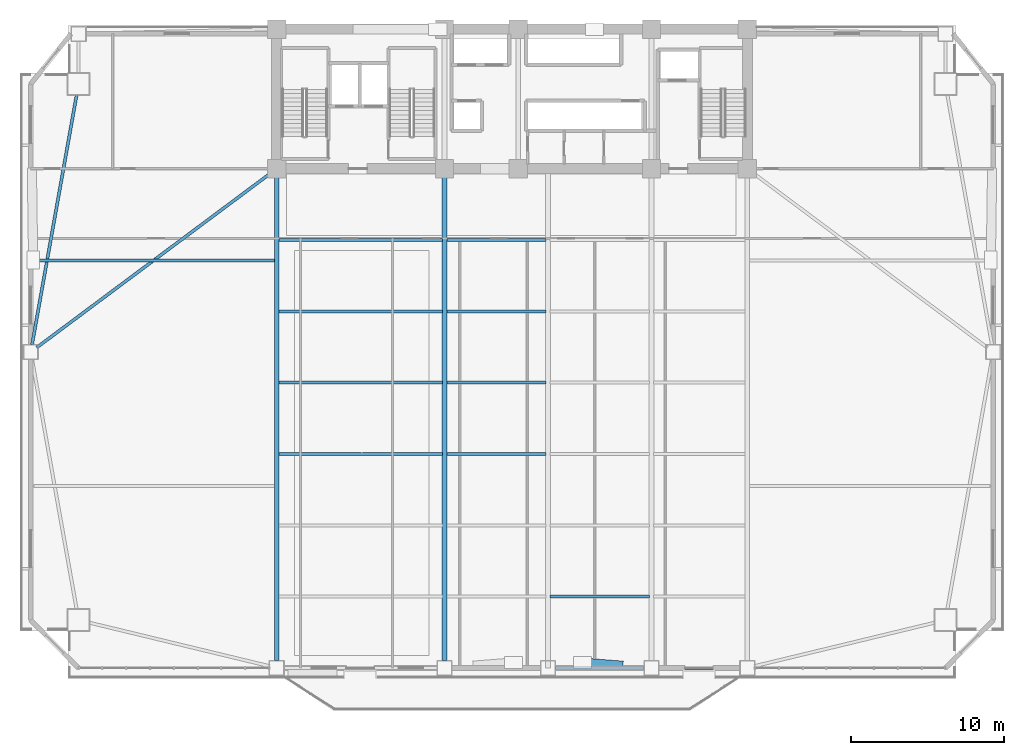
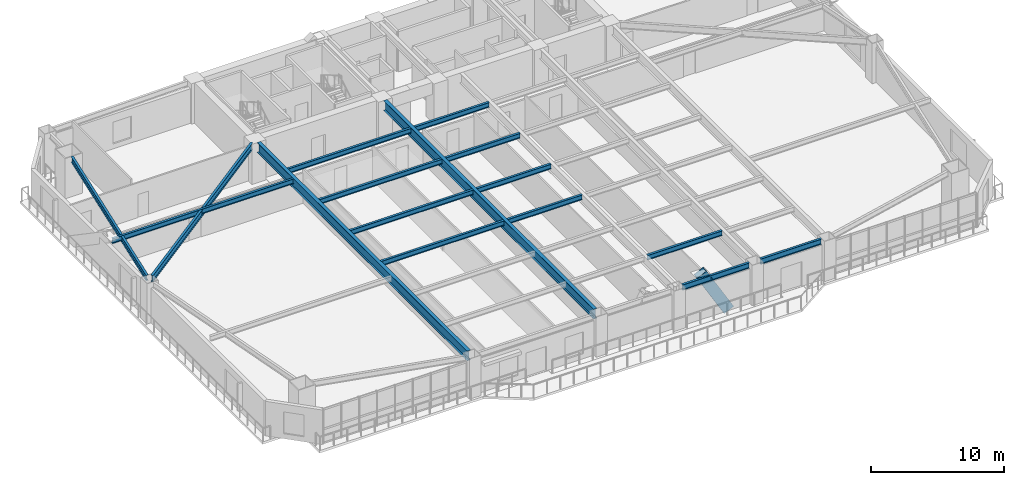
# One storey, part 5 of 18: 16 beams, 1 member.
"""IFC4 building model written with IfcOpenShell, lengths in metres."""

from ifc_helpers import new_model, si_unit, direction, frame, origin, origin_2d, place, context, subcontext, project, spatial, hollow_rectangle, i_section, extrude, source, transform, mapped, material, material_profile, profile_set, type_object, element, save


model = new_model("IFC4")

# Units and contexts
model_context = context("Model", 3, precision=1e-05, world=origin(), true_north=direction((0.0, 1.0)))
body_context = subcontext(model_context, "Body", "Model", "MODEL_VIEW")
ifc_project = project(units=[si_unit("LENGTHUNIT", "METRE"), si_unit("AREAUNIT", "SQUARE_METRE"), si_unit("VOLUMEUNIT", "CUBIC_METRE"), si_unit("PLANEANGLEUNIT", "RADIAN"), si_unit("MASSUNIT", "GRAM", prefix="KILO")], contexts=[model_context])

# Site, building, storey
site_placement = place(None, origin())
site = spatial("IfcSite", under=ifc_project, at=site_placement, CompositionType="ELEMENT")
building_placement = place(site_placement, origin())
building = spatial("IfcBuilding", under=site, at=building_placement, Name="Giltprow Tower", CompositionType="ELEMENT")
storey_placement = place(building_placement, frame((0.0, 0.0, 65.0)))
storey = spatial("IfcBuildingStorey", under=building, at=storey_placement, Name="L16", CompositionType="ELEMENT", Elevation=65.0)

# Beams
ifc_material_1 = material(Name="Structural steel Q355B", Category="steel")
ifc_material_profile_1 = material_profile(ifc_material_1, i_section(OverallWidth=0.199951171875, OverallDepth=0.449951171875, WebThickness=0.009033203125, FlangeThickness=0.013916015625, at=origin_2d()), Name="HN 450x200x9x14")
ifc_profile_set_1 = profile_set([ifc_material_profile_1], Name="Structural steel Q355B")
beam_type_1 = type_object("IfcBeamType", Name="BM-JOIST-HN450", PredefinedType="JOIST", material=ifc_profile_set_1)
shared_shape_1 = source(origin(), body_context, "Body", "SweptSolid", [
    extrude(i_section(OverallWidth=0.199951171875, OverallDepth=0.449951171875, WebThickness=0.009033203125, FlangeThickness=0.013916015625, at=origin_2d()), origin(), (0.0, 0.0, 1.0), 10.659912109375),
])
for number, where, z_axis, x_axis, name in (
    (1, (19.9951171875, 18.840087890625, 3.455078125), (1.0, 0.0, 0.0), (0.0, 1.0, 0.0), "L16 Composite Floor Joist 3-1"),
    (2, (19.9951171875, 23.491943359375, 3.455078125), (1.0, 0.0, 0.0), (0.0, 1.0, 0.0), "L16 Composite Floor Joist 4-1"),
    (3, (19.9951171875, 28.14501953125, 3.455078125), (1.0, 0.0, 0.0), (0.0, 1.0, 0.0), "L16 Composite Floor Joist 5-1"),
    (4, (19.9951171875, 32.797119140625, 3.455078125), (1.0, 0.0, 0.0), (0.0, 1.0, 0.0), "L16 Composite Floor Joist 6-1"),
):
    element("IfcBeam", number, at=place(storey_placement, frame(where, z_axis=z_axis, x_axis=x_axis)), inside=storey, type_object=beam_type_1, Name=name, PredefinedType="JOIST", context=body_context, shape_type="MappedRepresentation", body=[
        mapped(shared_shape_1, transform((0.0, 0.0, 0.0), x_axis=(1.0, 0.0, 0.0), y_axis=(0.0, 1.0, 0.0), z_axis=(0.0, 0.0, 1.0), scale=1.0)),
    ])
shared_shape_2 = source(origin(), body_context, "Body", "SweptSolid", [
    extrude(i_section(OverallWidth=0.199951171875, OverallDepth=0.449951171875, WebThickness=0.009033203125, FlangeThickness=0.013916015625, at=origin_2d()), origin(), (0.0, 0.0, 1.0), 6.4599609375),
])
for number, where, z_axis, x_axis, name in (
    (5, (37.695068359375, 9.534912109375, 3.455078125), (1.0, 0.0, 0.0), (0.0, 1.0, 0.0), "L16 Composite Floor Joist 1-3"),
    (6, (30.945068359375, 18.840087890625, 3.455078125), (1.0, 0.0, 0.0), (0.0, 1.0, 0.0), "L16 Composite Floor Joist 3-2"),
    (7, (30.945068359375, 23.491943359375, 3.455078125), (1.0, 0.0, 0.0), (0.0, 1.0, 0.0), "L16 Composite Floor Joist 4-2"),
    (8, (30.945068359375, 28.14501953125, 3.455078125), (1.0, 0.0, 0.0), (0.0, 1.0, 0.0), "L16 Composite Floor Joist 5-2"),
    (9, (30.945068359375, 32.797119140625, 3.455078125), (1.0, 0.0, 0.0), (0.0, 1.0, 0.0), "L16 Composite Floor Joist 6-2"),
):
    element("IfcBeam", number, at=place(storey_placement, frame(where, z_axis=z_axis, x_axis=x_axis)), inside=storey, type_object=beam_type_1, Name=name, PredefinedType="JOIST", context=body_context, shape_type="MappedRepresentation", body=[
        mapped(shared_shape_2, transform((0.0, 0.0, 0.0), x_axis=(1.0, 0.0, 0.0), y_axis=(0.0, 1.0, 0.0), z_axis=(0.0, 0.0, 1.0), scale=1.0)),
    ])
shared_shape_3 = source(origin(), body_context, "Body", "SweptSolid", [
    extrude(i_section(OverallWidth=0.199951171875, OverallDepth=0.449951171875, WebThickness=0.009033203125, FlangeThickness=0.013916015625, at=origin_2d()), origin(), (0.0, 0.0, 1.0), 15.68017578125),
])
beam_1_placement = place(storey_placement, frame((4.02490234375, 31.470947265625, 3.455078125), z_axis=(1.0, 0.0, 0.0), x_axis=(0.0, 1.0, 0.0)))
element("IfcBeam", 10, at=beam_1_placement, inside=storey, type_object=beam_type_1, Name="L16 West Wing Floor Joist 2", PredefinedType="JOIST", context=body_context, shape_type="MappedRepresentation", body=[
    mapped(shared_shape_3, transform((0.0, 0.0, 0.0), x_axis=(1.0, 0.0, 0.0), y_axis=(0.0, 1.0, 0.0), z_axis=(0.0, 0.0, 1.0), scale=1.0)),
])
ifc_material_profile_2 = material_profile(ifc_material_1, i_section(OverallWidth=0.199951171875, OverallDepth=0.5, WebThickness=0.010009765625, FlangeThickness=0.01611328125, at=origin_2d()), Name="HN 500x200x10x16")
ifc_profile_set_2 = profile_set([ifc_material_profile_2], Name="Structural steel Q355B")
beam_type_2 = type_object("IfcBeamType", Name="BM-SPAN-HN500", PredefinedType="SPANDREL", material=ifc_profile_set_2)
shared_shape_4 = source(origin(), body_context, "Body", "SweptSolid", [
    extrude(i_section(OverallWidth=0.199951171875, OverallDepth=0.5, WebThickness=0.010009765625, FlangeThickness=0.01611328125, at=origin_2d()), origin(), (0.0, 0.0, 1.0), 5.780029296875),
])
beam_2_placement = place(storey_placement, frame((38.034912109375, 4.882080078125, 3.429931640625), z_axis=(1.0, 0.0, 0.0), x_axis=(0.0, 1.0, 0.0)))
element("IfcBeam", 11, at=beam_2_placement, inside=storey, type_object=beam_type_2, Name="L16 Perimeter Spandrel Beam S_MID-S3", PredefinedType="SPANDREL", context=body_context, shape_type="MappedRepresentation", body=[
    mapped(shared_shape_4, transform((0.0, 0.0, 0.0), x_axis=(1.0, 0.0, 0.0), y_axis=(0.0, 1.0, 0.0), z_axis=(0.0, 0.0, 1.0), scale=1.0)),
])
shared_shape_5 = source(origin(), body_context, "Body", "SweptSolid", [
    extrude(i_section(OverallWidth=0.199951171875, OverallDepth=0.5, WebThickness=0.010009765625, FlangeThickness=0.01611328125, at=origin_2d()), origin(), (0.0, 0.0, 1.0), 5.280029296875),
])
beam_3_placement = place(storey_placement, frame((44.784912109375, 4.882080078125, 3.429931640625), z_axis=(1.0, 0.0, 0.0), x_axis=(0.0, 1.0, 0.0)))
element("IfcBeam", 12, at=beam_3_placement, inside=storey, type_object=beam_type_2, Name="L16 Perimeter Spandrel Beam S3-S4", PredefinedType="SPANDREL", context=body_context, shape_type="MappedRepresentation", body=[
    mapped(shared_shape_5, transform((0.0, 0.0, 0.0), x_axis=(1.0, 0.0, 0.0), y_axis=(0.0, 1.0, 0.0), z_axis=(0.0, 0.0, 1.0), scale=1.0)),
])
shared_shape_6 = source(origin(), body_context, "Body", "SweptSolid", [
    extrude(i_section(OverallWidth=0.199951171875, OverallDepth=0.5, WebThickness=0.010009765625, FlangeThickness=0.01611328125, at=origin_2d()), origin(), (0.0, 0.0, 1.0), 16.54345703125),
])
beam_4_placement = place(storey_placement, frame((6.798095703125, 42.25390625, 3.429931640625), z_axis=(-0.175791149249, -0.9844274843, 0.0), x_axis=(0.9844274843, -0.175791149249, 0.0)))
element("IfcBeam", 13, at=beam_4_placement, inside=storey, type_object=beam_type_2, Name="L16 Perimeter Spandrel Beam MC_NW-W_MID", PredefinedType="SPANDREL", context=body_context, shape_type="MappedRepresentation", body=[
    mapped(shared_shape_6, transform((0.0, 0.0, 0.0), x_axis=(1.0, 0.0, 0.0), y_axis=(0.0, 1.0, 0.0), z_axis=(0.0, 0.0, 1.0), scale=1.0)),
])
ifc_material_profile_3 = material_profile(ifc_material_1, i_section(OverallWidth=0.300048828125, OverallDepth=0.89990234375, WebThickness=0.01611328125, FlangeThickness=0.028076171875, at=origin_2d()), Name="HN 900x300x16x28")
ifc_profile_set_3 = profile_set([ifc_material_profile_3], Name="Structural steel Q355B")
beam_type_3 = type_object("IfcBeamType", Name="BM-GIRD-HN900", PredefinedType="BEAM", material=ifc_profile_set_3)
shared_shape_7 = source(origin(), body_context, "Body", "SweptSolid", [
    extrude(i_section(OverallWidth=0.300048828125, OverallDepth=0.89990234375, WebThickness=0.01611328125, FlangeThickness=0.028076171875, at=origin_2d()), origin(), (0.0, 0.0, 1.0), 31.498046875),
])
for number, where, z_axis, x_axis, name in (
    (14, (19.85009765625, 5.366943359375, 3.22998046875), (0.0, 1.0, 0.0), (-1.0, 0.0, 0.0), "L16 Primary Lease Girder S1"),
    (15, (30.800048828125, 5.366943359375, 3.22998046875), (0.0, 1.0, 0.0), (-1.0, 0.0, 0.0), "L16 Primary Lease Girder S2"),
):
    element("IfcBeam", number, at=place(storey_placement, frame(where, z_axis=z_axis, x_axis=x_axis)), inside=storey, type_object=beam_type_3, Name=name, PredefinedType="BEAM", context=body_context, shape_type="MappedRepresentation", body=[
        mapped(shared_shape_7, transform((0.0, 0.0, 0.0), x_axis=(1.0, 0.0, 0.0), y_axis=(0.0, 1.0, 0.0), z_axis=(0.0, 0.0, 1.0), scale=1.0)),
    ])
ifc_material_profile_4 = material_profile(ifc_material_1, i_section(OverallWidth=0.199951171875, OverallDepth=0.60009765625, WebThickness=0.010986328125, FlangeThickness=0.01708984375, at=origin_2d()), Name="HN 600x200x11x17")
ifc_profile_set_4 = profile_set([ifc_material_profile_4], Name="Structural steel Q355B")
beam_type_4 = type_object("IfcBeamType", Name="BM-GIRD-HN600", PredefinedType="BEAM", material=ifc_profile_set_4)
shared_shape_8 = source(origin(), body_context, "Body", "SweptSolid", [
    extrude(i_section(OverallWidth=0.199951171875, OverallDepth=0.60009765625, WebThickness=0.010986328125, FlangeThickness=0.01708984375, at=origin_2d()), origin(), (0.0, 0.0, 1.0), 18.941162109375),
])
beam_5_placement = place(storey_placement, frame((4.194091796875, 25.781005859375, 3.3798828125), z_axis=(0.801799875051, 0.597592637478, 0.0), x_axis=(-0.597592637478, 0.801799875051, 0.0)))
element("IfcBeam", 16, at=beam_5_placement, inside=storey, type_object=beam_type_4, Name="L16 West Wing Primary Girder", PredefinedType="BEAM", context=body_context, shape_type="MappedRepresentation", body=[
    mapped(shared_shape_8, transform((0.0, 0.0, 0.0), x_axis=(1.0, 0.0, 0.0), y_axis=(0.0, 1.0, 0.0), z_axis=(0.0, 0.0, 1.0), scale=1.0)),
])

# Member
ifc_material_2 = material(Name="Structural steel Q420GJC", Category="steel")
ifc_material_profile_5 = material_profile(ifc_material_2, hollow_rectangle(XDim=0.60009765625, YDim=0.89990234375, WallThickness=0.0400390625, at=origin_2d()), Name="RHS 900x600x40")
ifc_profile_set_5 = profile_set([ifc_material_profile_5], Name="Structural steel Q420GJC")
member_type = type_object("IfcMemberType", Name="MBR-MEGA-RHS900", PredefinedType="BRACE", material=ifc_profile_set_5)
shared_shape_9 = source(origin(), body_context, "Body", "SweptSolid", [
    extrude(hollow_rectangle(XDim=0.60009765625, YDim=0.89990234375, WallThickness=0.0400390625, at=origin_2d()), origin(), (0.0, 0.0, 1.0), 4.505859375),
])
member_placement = place(storey_placement, frame((42.050048828125, 5.05810546875, 0.0), z_axis=(-0.49935563087, 0.038795424447, 0.865528086754), x_axis=(-0.077457561353, -0.996995650035, 0.0)))
element("IfcMember", 17, at=member_placement, inside=storey, type_object=member_type, Name="L16 Chevron Mega-Brace S-R", PredefinedType="BRACE", context=body_context, shape_type="MappedRepresentation", body=[
    mapped(shared_shape_9, transform((0.0, 0.0, 0.0), x_axis=(1.0, 0.0, 0.0), y_axis=(0.0, 1.0, 0.0), z_axis=(0.0, 0.0, 1.0), scale=1.0)),
])

save(model, "model.ifc")
